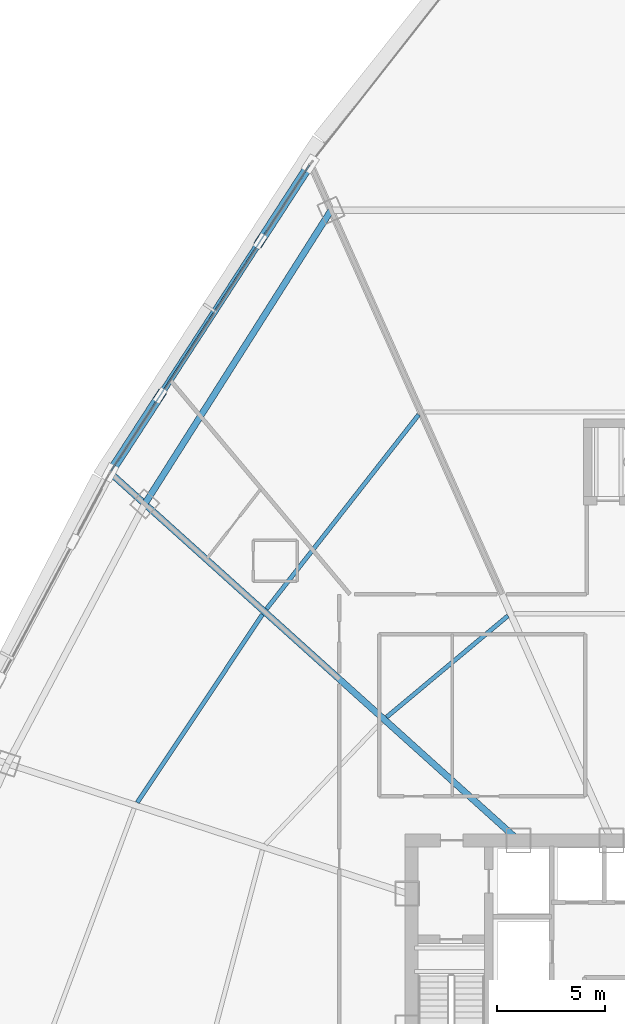
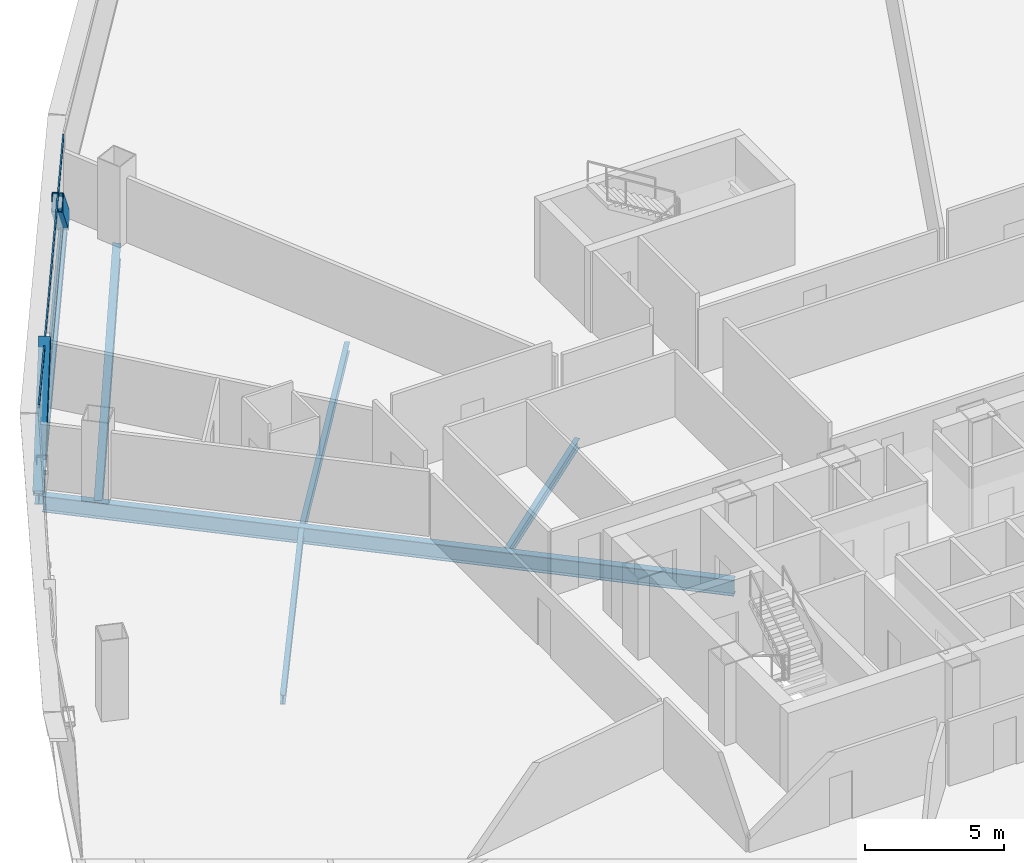
# One storey, part 15 of 38: 6 beams, 4 members, 1 element without a shape of its own.
"""IFC4 building model written with IfcOpenShell, lengths in metres."""

from ifc_helpers import new_model, si_unit, direction, frame, origin, origin_2d, place, context, subcontext, project, spatial, hollow_rectangle, i_section, extrude, source, transform, mapped, material, layer, layer_set, material_profile, profile_set, type_object, element, aggregate, save


model = new_model("IFC4")

# Units and contexts
model_context = context("Model", 3, precision=1e-05, world=origin(), true_north=direction((0.0, 1.0)))
body_context = subcontext(model_context, "Body", "Model", "MODEL_VIEW")
ifc_project = project(units=[si_unit("LENGTHUNIT", "METRE"), si_unit("AREAUNIT", "SQUARE_METRE"), si_unit("VOLUMEUNIT", "CUBIC_METRE"), si_unit("PLANEANGLEUNIT", "RADIAN"), si_unit("MASSUNIT", "GRAM", prefix="KILO"), si_unit("THERMODYNAMICTEMPERATUREUNIT", "KELVIN"), si_unit("POWERUNIT", "WATT")], contexts=[model_context])

# Site, building, storey
site_placement = place(None, origin())
site = spatial("IfcSite", under=ifc_project, at=site_placement, CompositionType="ELEMENT")
building_placement = place(site_placement, origin())
building = spatial("IfcBuilding", under=site, at=building_placement, Name="Yunzhuo Pagoda Commons", CompositionType="ELEMENT")
storey_placement = place(building_placement, frame((0.0, 0.0, 81.179931640625)))
storey = spatial("IfcBuildingStorey", under=building, at=storey_placement, Name="L20", CompositionType="ELEMENT", Elevation=81.179931640625)

# Beams
ifc_material_1 = material(Name="Structural steel Q355B", Category="steel")
ifc_material_profile_1 = material_profile(ifc_material_1, i_section(OverallWidth=0.300048828125, OverallDepth=0.488037109375, WebThickness=0.010986328125, FlangeThickness=0.01806640625, at=origin_2d()), Name="Structural steel Q355B")
ifc_profile_set_1 = profile_set([ifc_material_profile_1], Name="Structural steel Q355B")
beam_type_1 = type_object("IfcBeamType", Name="B-SP1 Beam HM 488x300x11x18", PredefinedType="BEAM", material=ifc_profile_set_1)
shared_shape_1 = source(origin(), body_context, "Body", "SweptSolid", [
    extrude(i_section(OverallWidth=0.300048828125, OverallDepth=0.488037109375, WebThickness=0.010986328125, FlangeThickness=0.01806640625, at=origin_2d()), origin(), (0.0, 0.0, 1.0), 17.115966796875),
])
beam_1_placement = place(storey_placement, frame((31.095947265625, 71.6669921875, -0.50390625), z_axis=(-0.544271692391, -0.83890900869, 0.0), x_axis=(0.83890900869, -0.544271692391, 0.0)))
element("IfcBeam", 1, at=beam_1_placement, inside=storey, type_object=beam_type_1, Name="L20 facade edge spandrel beam F3.1", PredefinedType="BEAM", context=body_context, shape_type="MappedRepresentation", body=[
    mapped(shared_shape_1, transform((0.0, 0.0, 0.0), scale=1.0)),
])
ifc_material_profile_2 = material_profile(ifc_material_1, i_section(OverallWidth=0.300048828125, OverallDepth=0.699951171875, WebThickness=0.012939453125, FlangeThickness=0.02392578125, at=origin_2d()), Name="Structural steel Q355B")
ifc_profile_set_2 = profile_set([ifc_material_profile_2], Name="Structural steel Q355B")
beam_type_2 = type_object("IfcBeamType", Name="B-RG1 Beam HN 700x300x13x24", PredefinedType="BEAM", material=ifc_profile_set_2)
shared_shape_2 = source(origin(), body_context, "Body", "SweptSolid", [
    extrude(i_section(OverallWidth=0.300048828125, OverallDepth=0.699951171875, WebThickness=0.012939453125, FlangeThickness=0.02392578125, at=origin_2d()), origin(), (0.0, 0.0, 1.0), 16.16845703125),
])
beam_2_placement = place(storey_placement, frame((32.05859375, 69.505126953125, -0.60986328125), z_axis=(-0.535695673154, -0.844411123662, 0.0), x_axis=(0.844411123662, -0.535695673154, 0.0)))
element("IfcBeam", 2, at=beam_2_placement, inside=storey, type_object=beam_type_2, Name="L20 column-ring beam 9", PredefinedType="BEAM", context=body_context, shape_type="MappedRepresentation", body=[
    mapped(shared_shape_2, transform((0.0, 0.0, 0.0), scale=1.0)),
])
shared_shape_3 = source(origin(), body_context, "Body", "SweptSolid", [
    extrude(i_section(OverallWidth=0.300048828125, OverallDepth=0.699951171875, WebThickness=0.012939453125, FlangeThickness=0.02392578125, at=origin_2d()), origin(), (0.0, 0.0, 1.0), 25.4130859375),
])
beam_3_placement = place(storey_placement, frame((21.8955078125, 57.20458984375, -0.60986328125), z_axis=(0.743143654342, -0.669131907034, 0.0), x_axis=(0.669131907034, 0.743143654342, 0.0)))
element("IfcBeam", 3, at=beam_3_placement, inside=storey, type_object=beam_type_2, Name="L20 radial floor girder F3C2", PredefinedType="BEAM", context=body_context, shape_type="MappedRepresentation", body=[
    mapped(shared_shape_3, transform((0.0, 0.0, 0.0), scale=1.0)),
])
ifc_material_profile_3 = material_profile(ifc_material_1, i_section(OverallWidth=0.199951171875, OverallDepth=0.39990234375, WebThickness=0.008056640625, FlangeThickness=0.012939453125, at=origin_2d()), Name="Structural steel Q355B")
ifc_profile_set_3 = profile_set([ifc_material_profile_3], Name="Structural steel Q355B")
beam_type_3 = type_object("IfcBeamType", Name="B-JS1 Joist HN 400x200x8x13", PredefinedType="JOIST", material=ifc_profile_set_3)
shared_shape_4 = source(origin(), body_context, "Body", "SweptSolid", [
    extrude(i_section(OverallWidth=0.199951171875, OverallDepth=0.39990234375, WebThickness=0.008056640625, FlangeThickness=0.012939453125, at=origin_2d()), origin(), (0.0, 0.0, 1.0), 10.50537109375),
])
beam_4_placement = place(storey_placement, frame((28.871826171875, 50.711181640625, -0.4599609375), z_axis=(-0.554523204193, -0.832168261839, 0.0), x_axis=(0.832168261839, -0.554523204193, 0.0)))
element("IfcBeam", 4, at=beam_4_placement, inside=storey, type_object=beam_type_3, Name="L20 composite ring joist 2.10", PredefinedType="JOIST", context=body_context, shape_type="MappedRepresentation", body=[
    mapped(shared_shape_4, transform((0.0, 0.0, 0.0), scale=1.0)),
])
shared_shape_5 = source(origin(), body_context, "Body", "SweptSolid", [
    extrude(i_section(OverallWidth=0.199951171875, OverallDepth=0.39990234375, WebThickness=0.008056640625, FlangeThickness=0.012939453125, at=origin_2d()), origin(), (0.0, 0.0, 1.0), 7.35009765625),
])
beam_5_placement = place(storey_placement, frame((40.286865234375, 50.64794921875, -0.4599609375), z_axis=(-0.767561992249, -0.640974717173, 0.0), x_axis=(0.640974717173, -0.767561992249, 0.0)))
element("IfcBeam", 5, at=beam_5_placement, inside=storey, type_object=beam_type_3, Name="L20 composite ring joist 1.9", PredefinedType="JOIST", context=body_context, shape_type="MappedRepresentation", body=[
    mapped(shared_shape_5, transform((0.0, 0.0, 0.0), scale=1.0)),
])
shared_shape_6 = source(origin(), body_context, "Body", "SweptSolid", [
    extrude(i_section(OverallWidth=0.199951171875, OverallDepth=0.39990234375, WebThickness=0.008056640625, FlangeThickness=0.012939453125, at=origin_2d()), origin(), (0.0, 0.0, 1.0), 11.4755859375),
])
beam_6_placement = place(storey_placement, frame((36.135498046875, 60.002197265625, -0.4599609375), z_axis=(-0.616713174055, -0.787187945123, 0.0), x_axis=(0.787187945123, -0.616713174055, 0.0)))
element("IfcBeam", 6, at=beam_6_placement, inside=storey, type_object=beam_type_3, Name="L20 composite ring joist 2.9", PredefinedType="JOIST", context=body_context, shape_type="MappedRepresentation", body=[
    mapped(shared_shape_6, transform((0.0, 0.0, 0.0), scale=1.0)),
])

# Members
ifc_material_2 = material(Name="Structural steel Q420B", Category="steel")
ifc_material_profile_4 = material_profile(ifc_material_2, hollow_rectangle(XDim=0.419921875, YDim=0.719970703125, WallThickness=0.028076171875, at=origin_2d()), Name="Structural steel Q420B")
ifc_profile_set_4 = profile_set([ifc_material_profile_4], Name="Structural steel Q420B")
member_type_1 = type_object("IfcMemberType", Name="M-DL1 Brace BOX 720x420x28", PredefinedType="BRACE", material=ifc_profile_set_4)
shared_shape_7 = source(origin(), body_context, "Body", "SweptSolid", [
    extrude(hollow_rectangle(XDim=0.419921875, YDim=0.719970703125, WallThickness=0.028076171875, at=origin_2d()), origin(), (0.0, 0.0, 1.0), 5.722900390625),
])
member_1_placement = place(storey_placement, frame((21.7802734375, 57.308349609375, -0.260009765625), z_axis=(0.40694068148, 0.627283340023, 0.664014226569), x_axis=(-0.838928196846, 0.544242115732, 0.0)))
element("IfcMember", 7, at=member_1_placement, inside=storey, type_object=member_type_1, Name="L20 facade diamond brace F3.1R", PredefinedType="BRACE", context=body_context, shape_type="MappedRepresentation", body=[
    mapped(shared_shape_7, transform((0.0, 0.0, 0.0), scale=1.0)),
])
shared_shape_8 = source(origin(), body_context, "Body", "SweptSolid", [
    extrude(hollow_rectangle(XDim=0.419921875, YDim=0.719970703125, WallThickness=0.028076171875, at=origin_2d()), origin(), (0.0, 0.0, 1.0), 5.72265625),
])
member_2_placement = place(storey_placement, frame((31.095947265625, 71.6669921875, -0.260009765625), z_axis=(-0.406951571428, -0.627257464587, 0.66403199594), x_axis=(0.838911296143, -0.544268166627, 0.0)))
element("IfcMember", 8, at=member_2_placement, inside=storey, type_object=member_type_1, Name="L20 facade diamond brace F3.1L", PredefinedType="BRACE", context=body_context, shape_type="MappedRepresentation", body=[
    mapped(shared_shape_8, transform((0.0, 0.0, 0.0), scale=1.0)),
])

# Curtain wall, members
ifc_material_3 = material(Name="Anodized aluminium 6063-T6", Category="aluminium")
ifc_layer = layer(ifc_material_3, 0.1650390625)
ifc_layer_set = layer_set([ifc_layer], Name="Anodized aluminium 6063-T6")
curtain_wall_type = type_object("IfcCurtainWallType", Name="CW-LOW Low-Zone Ribbon Curtain Wall", PredefinedType="NOTDEFINED", material=ifc_layer_set)
curtain_wall_placement = place(storey_placement, origin())
curtain_wall = element("IfcCurtainWall", 9, at=curtain_wall_placement, inside=storey, type_object=curtain_wall_type, Name="L20 curtain wall CW-L20-F3B2", PredefinedType="NOTDEFINED")
ifc_material_profile_5 = material_profile(ifc_material_3, hollow_rectangle(XDim=0.06005859375, YDim=0.139892578125, WallThickness=0.00341796875, at=origin_2d()), Name="Anodized aluminium 6063-T6")
ifc_profile_set_5 = profile_set([ifc_material_profile_5], Name="Anodized aluminium 6063-T6")
member_type_2 = type_object("IfcMemberType", Name="CW-LOW-T Transom RHS 140x60x3.5", PredefinedType="USERDEFINED", material=ifc_profile_set_5)
shared_shape_9 = source(origin(), body_context, "Body", "SweptSolid", [
    extrude(hollow_rectangle(XDim=0.06005859375, YDim=0.139892578125, WallThickness=0.00341796875, at=origin_2d()), origin(), (0.0, 0.0, 1.0), 16.98583984375),
])
member_3_placement = place(storey_placement, frame((31.060546875, 71.612548828125, 0.030029296875), z_axis=(-0.544271762736, -0.838908963051, 0.0), x_axis=(0.838908963051, -0.544271762736, 0.0)))
member_3 = element("IfcMember", 10, at=member_3_placement, type_object=member_type_2, Name="CW transom 1.1", ObjectType="TRANSOM", PredefinedType="USERDEFINED", context=body_context, shape_type="MappedRepresentation", body=[
    mapped(shared_shape_9, transform((0.0, 0.0, 0.0), scale=1.0)),
])
member_4_placement = place(storey_placement, frame((31.060546875, 71.612548828125, 3.510009765625), z_axis=(-0.544271762736, -0.838908963051, 0.0), x_axis=(0.838908963051, -0.544271762736, 0.0)))
member_4 = element("IfcMember", 11, at=member_4_placement, type_object=member_type_2, Name="CW transom 1.2", ObjectType="TRANSOM", PredefinedType="USERDEFINED", context=body_context, shape_type="MappedRepresentation", body=[
    mapped(shared_shape_9, transform((0.0, 0.0, 0.0), scale=1.0)),
])
aggregate(curtain_wall, [member_3, member_4])

save(model, "model.ifc")
